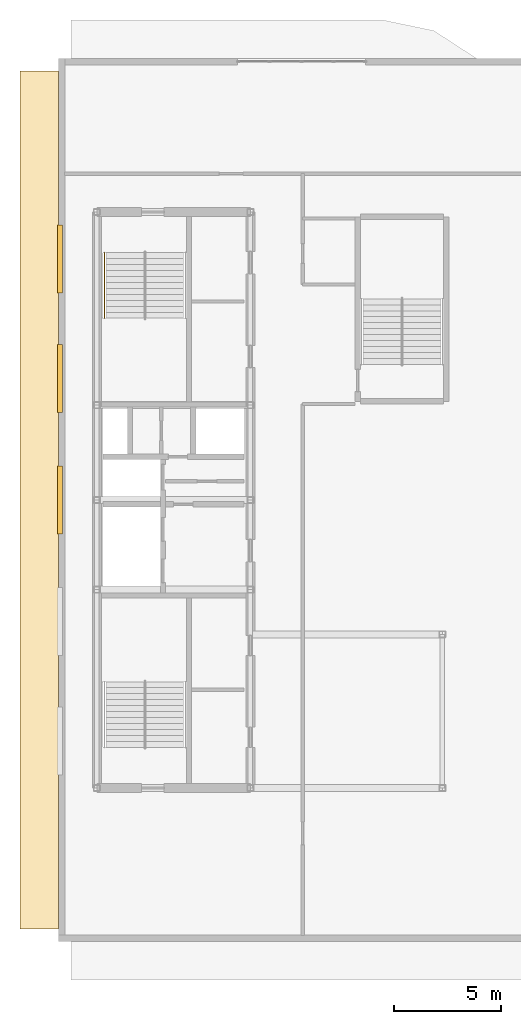
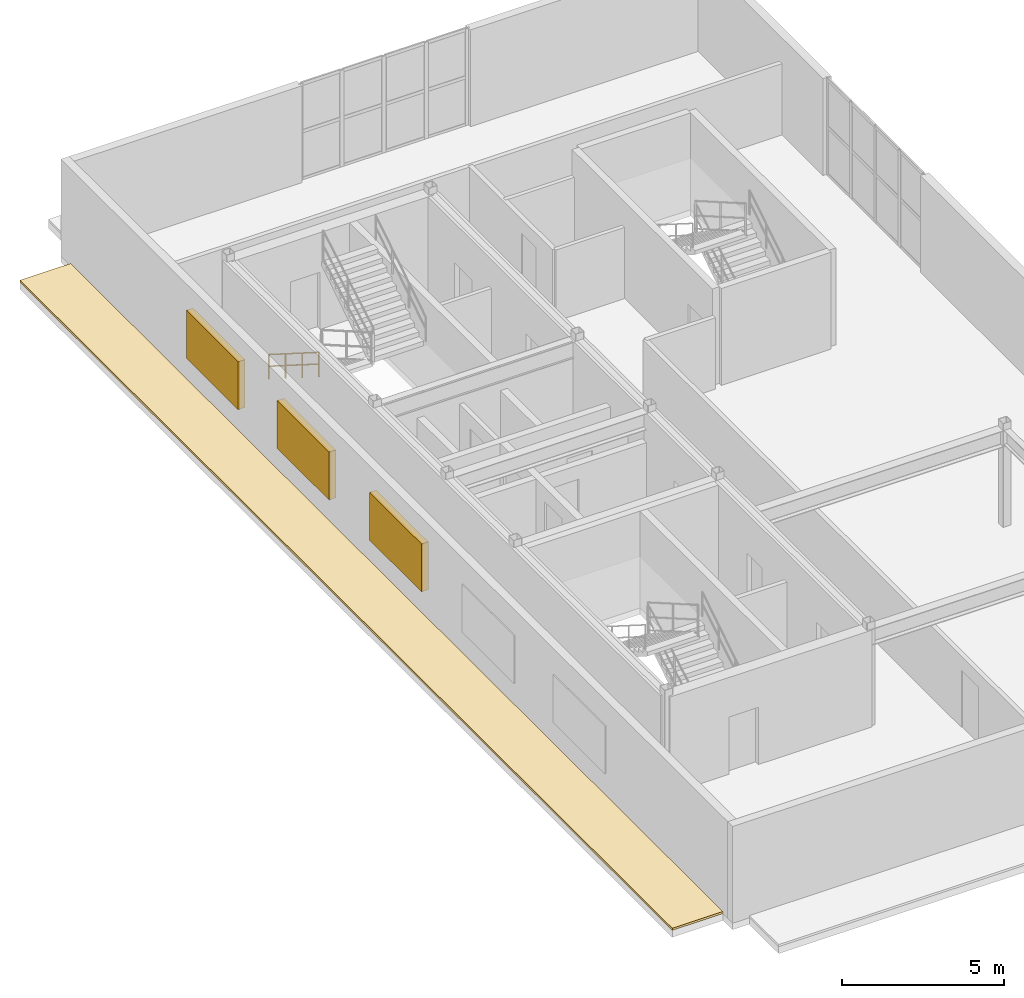
# One storey, part 8 of 9: 3 shading devices, 1 covering, 1 railing.
"""IFC4 building model written with IfcOpenShell, lengths in metres."""

import ifcopenshell
import ifcopenshell.guid

model = None  # the IFC model being written
_history = None  # IfcOwnerHistory: only IFC2X3 demands one
_inside = {}  # id of a spatial element -> (the spatial element, [elements in it])
_under = {}  # id of a project, library or spatial element -> (it, [spatial elements below it])
_declared = {}  # id of a project -> (the project, [libraries it declares])
_typed = {}  # id of a type object -> (the type object, [elements of that type])
_made_of = {}  # id of a material, layer set ... -> (it, [elements and type objects made of it])


def new_model(schema):
    """Start an empty IFC model of exactly this schema.

    Asked for "IFC4X3", IfcOpenShell would pick the latest addendum, in which some entities
    have other attributes; the version numbers below select the first issue.
    IFC2X3 requires an IfcOwnerHistory on every rooted entity: one is made here for all.
    """
    global model, _history
    if schema == "IFC4X3":
        model = ifcopenshell.file(schema_version=(4, 3, 0, 0))
    else:
        model = ifcopenshell.file(schema=schema)
    _inside.clear()
    _under.clear()
    _declared.clear()
    _typed.clear()
    _made_of.clear()
    _history = None
    if model.schema == "IFC2X3":
        org = make("IfcOrganization", Name="unknown")
        user = make(
            "IfcPersonAndOrganization",
            ThePerson=make("IfcPerson", FamilyName="unknown"),
            TheOrganization=org,
        )
        app = make(
            "IfcApplication",
            ApplicationDeveloper=org,
            Version="unknown",
            ApplicationFullName="unknown",
            ApplicationIdentifier="unknown",
        )
        _history = make(
            "IfcOwnerHistory",
            OwningUser=user,
            OwningApplication=app,
            ChangeAction="ADDED",
            CreationDate=0,
        )
    return model


def make(cls, **values):
    """One entity of the class cls with the attributes given. An attribute that is None is left unset."""
    return model.create_entity(
        cls, **{name: value for name, value in values.items() if value is not None}
    )


def entity(cls, *values):
    """Any entity or typed value of the class cls, its attributes in the order of the schema. None: left unset."""
    e = model.create_entity(cls)
    for i, value in enumerate(values):
        if value is not None:
            e[i] = value
    return e


def rooted(cls, **values):
    """An entity with a GlobalId (a new one), such as an element, a storey or a relation."""
    return make(cls, GlobalId=ifcopenshell.guid.new(), OwnerHistory=_history, **values)


def si_unit(unit_type, name, prefix=None):
    """IfcSIUnit, for example si_unit("LENGTHUNIT", "METRE", prefix="MILLI")."""
    return make("IfcSIUnit", UnitType=unit_type, Prefix=prefix, Name=name)


def converted_unit(unit_type, name, factor, base, dimensions=None, offset=None):
    """IfcConversionBasedUnit, such as the inch: factor (a typed value) times the base unit."""
    return make(
        "IfcConversionBasedUnit"
        if offset is None
        else "IfcConversionBasedUnitWithOffset",
        ConversionOffset=offset,
        Dimensions=None
        if dimensions is None
        else entity("IfcDimensionalExponents", *dimensions),
        UnitType=unit_type,
        Name=name,
        ConversionFactor=make(
            "IfcMeasureWithUnit", ValueComponent=factor, UnitComponent=base
        ),
    )


def assignment(units):
    """IfcUnitAssignment: the units of a project."""
    return None if units is None else make("IfcUnitAssignment", Units=units)


def point(xyz):
    """IfcCartesianPoint."""
    return None if xyz is None else make("IfcCartesianPoint", Coordinates=xyz)


def direction(xyz):
    """IfcDirection."""
    return None if xyz is None else make("IfcDirection", DirectionRatios=xyz)


def frame(location, z_axis=None, x_axis=None):
    """IfcAxis2Placement3D, a coordinate frame: its origin and axes. An axis left out is left unset."""
    return make(
        "IfcAxis2Placement3D",
        Location=point(location),
        Axis=direction(z_axis),
        RefDirection=direction(x_axis),
    )


def frame_2d(location, x_axis=None):
    """IfcAxis2Placement2D, a coordinate frame in the plane: its origin and x axis."""
    return make(
        "IfcAxis2Placement2D", Location=point(location), RefDirection=direction(x_axis)
    )


def origin_with_axes():
    """The frame at (0, 0, 0) with the z axis (0, 0, 1) and the x axis (1, 0, 0) written out."""
    return frame((0.0, 0.0, 0.0), z_axis=(0.0, 0.0, 1.0), x_axis=(1.0, 0.0, 0.0))


def origin_2d_with_axis():
    """The frame at (0, 0) in the plane with the x axis (1, 0) written out."""
    return frame_2d((0.0, 0.0), x_axis=(1.0, 0.0))


def place(relative_to, where):
    """IfcLocalPlacement: puts the frame where relative to a parent placement (None: the world)."""
    return make(
        "IfcLocalPlacement", PlacementRelTo=relative_to, RelativePlacement=where
    )


def context(
    kind, dimensions, precision=None, world=None, true_north=None, identifier=None
):
    """IfcGeometricRepresentationContext, for example the 3D "Model" context."""
    return make(
        "IfcGeometricRepresentationContext",
        ContextIdentifier=identifier,
        ContextType=kind,
        CoordinateSpaceDimension=dimensions,
        Precision=precision,
        WorldCoordinateSystem=world,
        TrueNorth=true_north,
    )


def subcontext(parent, identifier, kind, view, scale=None):
    """IfcGeometricRepresentationSubContext, for example "Body" below "Model"."""
    return make(
        "IfcGeometricRepresentationSubContext",
        ContextIdentifier=identifier,
        ContextType=kind,
        ParentContext=parent,
        TargetScale=scale,
        TargetView=view,
    )


def project(units=None, contexts=None):
    """IfcProject with its units and contexts."""
    return rooted(
        "IfcProject",
        Name="project",
        RepresentationContexts=contexts,
        UnitsInContext=assignment(units),
    )


def spatial(cls, under=None, at=None, **own):
    """A site, building, storey or space (cls), placed at a placement, below another one or the project."""
    s = rooted(cls, ObjectPlacement=at, **own)
    if under is not None:
        _under.setdefault(under.id(), (under, []))[1].append(s)
    return s


def polyline(points):
    """IfcPolyline through the points."""
    return make("IfcPolyline", Points=[point(p) for p in points])


def profile(cls, at=None, kind="AREA", **sizes):
    """A parametric profile (cls). Its sizes go by their IFC names, for example OverallWidth=200.0."""
    return make(cls, ProfileType=kind, Position=at, **sizes)


def rectangle(**sizes):
    """IfcRectangleProfileDef."""
    return profile("IfcRectangleProfileDef", **sizes)


def circle(**sizes):
    """IfcCircleProfileDef."""
    return profile("IfcCircleProfileDef", **sizes)


def outline(outer, holes=None, kind="AREA"):
    """IfcArbitraryClosedProfileDef: a profile drawn as a closed curve; with holes, ...WithVoids."""
    if holes is None:
        return make("IfcArbitraryClosedProfileDef", ProfileType=kind, OuterCurve=outer)
    return make(
        "IfcArbitraryProfileDefWithVoids",
        ProfileType=kind,
        OuterCurve=outer,
        InnerCurves=holes,
    )


def extrude(swept, where, along, depth):
    """IfcExtrudedAreaSolid: the profile swept, set in the frame where, extruded along a direction by depth."""
    return make(
        "IfcExtrudedAreaSolid",
        SweptArea=swept,
        Position=where,
        ExtrudedDirection=direction(along),
        Depth=depth,
    )


def shape(context_of_items, identifier, shape_type, items):
    """IfcShapeRepresentation: the items that make up one representation, for example the "Body"."""
    return make(
        "IfcShapeRepresentation",
        ContextOfItems=context_of_items,
        RepresentationIdentifier=identifier,
        RepresentationType=shape_type,
        Items=items,
    )


def material(Name=None, Category=None):
    """IfcMaterial."""
    return make("IfcMaterial", Name=Name, Category=Category)


def layer(
    of_material, thickness, ventilated=None, Name=None, Category=None, Priority=None
):
    """IfcMaterialLayer: one layer of a wall or slab, of a material (None: an air gap)."""
    return make(
        "IfcMaterialLayer",
        Material=of_material,
        LayerThickness=thickness,
        IsVentilated=ventilated,
        Name=Name,
        Category=Category,
        Priority=Priority,
    )


def layer_set(layers, Name=None):
    """IfcMaterialLayerSet."""
    return make("IfcMaterialLayerSet", MaterialLayers=layers, LayerSetName=Name)


def made_of(thing, what):
    """Note that an element or type object is made of a material, layer set ...; save() writes the relation."""
    if what is not None:
        _made_of.setdefault(what.id(), (what, []))[1].append(thing)
    return thing


def type_object(cls, material=None, **own):
    """A type object (cls), such as IfcWallType, which elements share."""
    return made_of(rooted(cls, **own), material)


def element(
    cls,
    number,
    at=None,
    inside=None,
    cuts=None,
    type_object=None,
    material=None,
    context=None,
    identifier="Body",
    shape_type=None,
    held_by="IfcProductDefinitionShape",
    body=None,
    shapes=None,
    **own,
):
    """One element of the class cls, such as IfcWall. Its Tag is "e" and its number.

    at: its placement. inside: the storey or other place that contains it. cuts: it is an
    opening in that element (IfcRelVoidsElement). A single representation is given by context,
    identifier, shape_type and body (its items); several are given by shapes. held_by: the class
    of the entity that holds the representations. save() writes the other relations.
    """
    e = rooted(cls, Tag="e%d" % number, ObjectPlacement=at, **own)
    if body is not None:
        shapes = [shape(context, identifier, shape_type, body)]
    if shapes is not None:
        e.Representation = make(held_by, Representations=shapes)
    if inside is not None:
        _inside.setdefault(inside.id(), (inside, []))[1].append(e)
    if cuts is not None:
        rooted(
            "IfcRelVoidsElement", RelatingBuildingElement=cuts, RelatedOpeningElement=e
        )
    if type_object is not None:
        _typed.setdefault(type_object.id(), (type_object, []))[1].append(e)
    return made_of(e, material)


def aggregate(whole, parts):
    """IfcRelAggregates: a whole, such as a stair, and the parts it consists of."""
    return rooted("IfcRelAggregates", RelatingObject=whole, RelatedObjects=parts)


def save(model, path):
    """Write the relations noted so far, then the file.

    IfcRelAggregates (storeys below a building ...), IfcRelContainedInSpatialStructure (elements
    in a storey), IfcRelDefinesByType, IfcRelAssociatesMaterial and IfcRelDeclares: one each for
    every whole, place, type object, material and project.
    """
    for whole, parts in _under.values():
        aggregate(whole, parts)
    for where, things in _inside.values():
        rooted(
            "IfcRelContainedInSpatialStructure",
            RelatedElements=things,
            RelatingStructure=where,
        )
    for kind, things in _typed.values():
        rooted("IfcRelDefinesByType", RelatedObjects=things, RelatingType=kind)
    for what, things in _made_of.values():
        rooted("IfcRelAssociatesMaterial", RelatedObjects=things, RelatingMaterial=what)
    for by, libraries in _declared.values():
        rooted("IfcRelDeclares", RelatingContext=by, RelatedDefinitions=libraries)
    model.write(path)


model = new_model("IFC4")

# Units and contexts
model_context = context("Model", 3, precision=1e-05, world=origin_with_axes(), true_north=direction((0.0, 1.0)))
body_context = subcontext(model_context, "Body", "Model", "MODEL_VIEW")
ifc_project = project(units=[si_unit("LENGTHUNIT", "METRE"), si_unit("AREAUNIT", "SQUARE_METRE"), si_unit("VOLUMEUNIT", "CUBIC_METRE"), converted_unit("PLANEANGLEUNIT", "DEGREE", entity("IfcPlaneAngleMeasure", 0.017453292519943295), si_unit("PLANEANGLEUNIT", "RADIAN"), dimensions=[0, 0, 0, 0, 0, 0, 0]), si_unit("MASSUNIT", "GRAM", prefix="KILO"), si_unit("THERMODYNAMICTEMPERATUREUNIT", "KELVIN")], contexts=[model_context])

# Site, building, storey
site_placement = place(None, origin_with_axes())
site = spatial("IfcSite", under=ifc_project, at=site_placement, CompositionType="ELEMENT")
building_placement = place(site_placement, origin_with_axes())
building = spatial("IfcBuilding", under=site, at=building_placement, Name="Varnlund Millrace Tower", CompositionType="ELEMENT")
storey_placement = place(building_placement, frame((0.0, 0.0, 308.7), z_axis=(0.0, 0.0, 1.0), x_axis=(1.0, 0.0, 0.0)))
storey = spatial("IfcBuildingStorey", under=building, at=storey_placement, Name="L76", CompositionType="ELEMENT", Elevation=308.7)

# Covering
ifc_material_1 = material(Name="Insulated EPDM waterproof roof membrane")
ifc_layer = layer(ifc_material_1, 0.12, Name="Insulated EPDM waterproof roof membrane")
ifc_layer_set = layer_set([ifc_layer], Name="Insulated EPDM waterproof roof membrane")
covering_type = type_object("IfcCoveringType", Name="Type-Roof-Membrane-120", PredefinedType="ROOFING", material=ifc_layer_set)
covering_placement = place(storey_placement, origin_with_axes())
element("IfcCovering", 1, at=covering_placement, inside=storey, type_object=covering_type, Name="Type-Roof-Membrane-120", PredefinedType="ROOFING", context=body_context, shape_type="SweptSolid", body=[
    extrude(outline(polyline([(9.6, 4.2), (9.6, 44.4), (7.8, 44.4), (7.8, 4.2), (9.6, 4.2)])), origin_with_axes(), (0.0, 0.0, 1.0), 0.08),
])

# Shading devices
ifc_material_2 = material(Name="Architectural bronze cold-climate intake louvre", Category="aluminium")
shading_device_type = type_object("IfcShadingDeviceType", Name="Type-Shade-CrownLouvre-JAL", PredefinedType="JALOUSIE", material=ifc_material_2)
for number, where, z_axis, x_axis, name in (
    (2, (9.68, 24.3, 0.9), (0.0, 0.0, 1.0), (0.0, 1.0, 0.0), "Type-Shade-CrownLouvre-JAL"),
    (3, (9.68, 30.0, 0.9), (0.0, 0.0, 1.0), (0.0, 1.0, 0.0), "Type-Shade-CrownLouvre-JAL"),
    (4, (9.68, 35.6, 0.9), (0.0, 0.0, 1.0), (0.0, 1.0, 0.0), "Type-Shade-CrownLouvre-JAL"),
):
    element("IfcShadingDevice", number, at=place(storey_placement, frame(where, z_axis=z_axis, x_axis=x_axis)), inside=storey, type_object=shading_device_type, Name=name, PredefinedType="JALOUSIE", context=body_context, shape_type="SweptSolid", body=[
        extrude(rectangle(XDim=3.2, YDim=0.24, at=origin_2d_with_axis()), origin_with_axes(), (0.0, 0.0, 1.0), 1.8),
    ])

# Railing
ifc_material_3 = material(Name="Brushed architectural bronze stair handrail", Category="aluminium")
railing_type = type_object("IfcRailingType", Name="Type-StairHandrail-900", PredefinedType="HANDRAIL", material=ifc_material_3)
railing_placement = place(storey_placement, frame((0.0, 0.0, -308.7), z_axis=(0.0, 0.0, 1.0), x_axis=(1.0, 0.0, 0.0)))
element("IfcRailing", 5, at=railing_placement, inside=storey, type_object=railing_type, Name="Type-StairHandrail-900", PredefinedType="HANDRAIL", context=body_context, shape_type="SweptSolid", body=[
    extrude(circle(Radius=0.024, at=origin_2d_with_axis()), frame((11.75, 35.9, 309.756995), z_axis=(0.0, -0.844902, 0.534922), x_axis=(1.0, 0.0, 0.0)), (0.0, 0.0, 1.0), 3.645394),
    extrude(circle(Radius=0.024, at=origin_2d_with_axis()), frame((11.75, 35.9, 309.317134), z_axis=(0.0, -0.844902, 0.534922), x_axis=(1.0, 0.0, 0.0)), (0.0, 0.0, 1.0), 3.645394),
    extrude(rectangle(XDim=0.04, YDim=0.04, at=origin_2d_with_axis()), frame((11.75, 35.9, 308.837273), z_axis=(0.0, 0.0, 1.0), x_axis=(1.0, 0.0, 0.0)), (0.0, 0.0, 1.0), 0.919722),
    extrude(rectangle(XDim=0.04, YDim=0.04, at=origin_2d_with_axis()), frame((11.75, 34.873333, 309.487273), z_axis=(0.0, 0.0, 1.0), x_axis=(1.0, 0.0, 0.0)), (0.0, 0.0, 1.0), 0.919722),
    extrude(rectangle(XDim=0.04, YDim=0.04, at=origin_2d_with_axis()), frame((11.75, 33.846667, 310.137273), z_axis=(0.0, 0.0, 1.0), x_axis=(1.0, 0.0, 0.0)), (0.0, 0.0, 1.0), 0.919722),
    extrude(rectangle(XDim=0.04, YDim=0.04, at=origin_2d_with_axis()), frame((11.75, 32.82, 310.787273), z_axis=(0.0, 0.0, 1.0), x_axis=(1.0, 0.0, 0.0)), (0.0, 0.0, 1.0), 0.919722),
])

save(model, "model.ifc")
